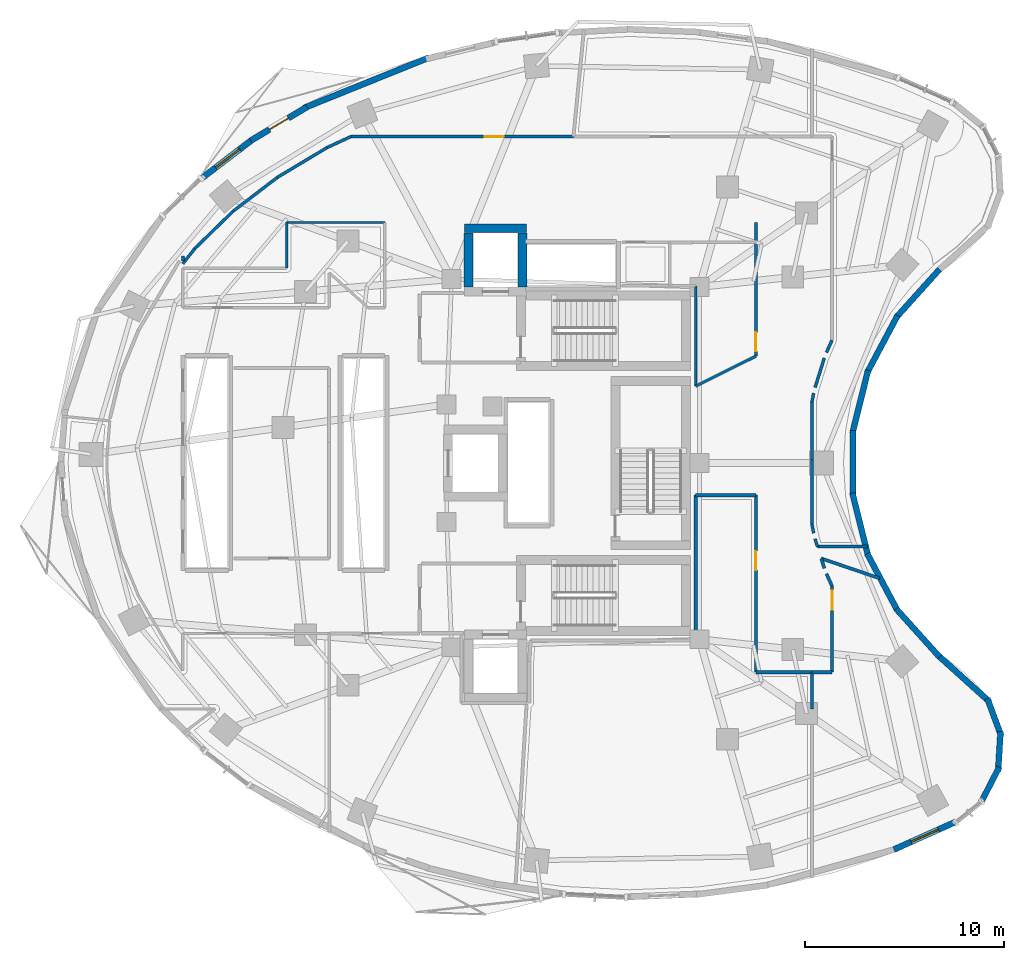
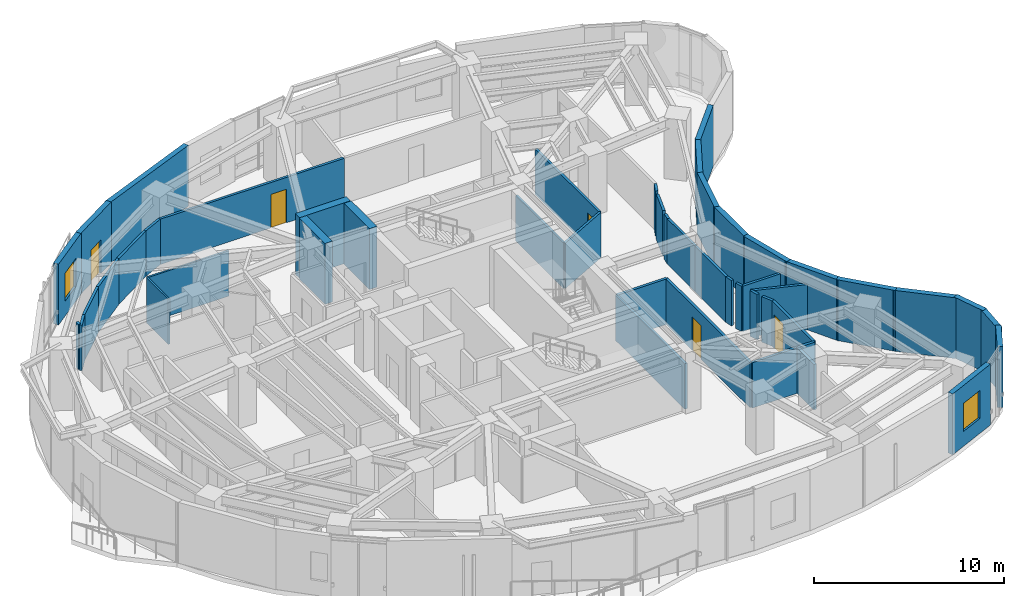
# One storey, part 9 of 13: 48 walls, 5 doors, 2 windows, 7 openings.
"""IFC4 building model written with IfcOpenShell, lengths in metres."""

from ifc_helpers import new_model, si_unit, direction, frame, frame_2d, origin, place, context, subcontext, project, spatial, rectangle, extrude, material, layer, layer_set, type_object, element, fill, save


model = new_model("IFC4")

# Units and contexts
model_context = context("Model", 3, precision=1e-05, world=origin(), true_north=direction((0.0, 1.0)))
body_context = subcontext(model_context, "Body", "Model", "MODEL_VIEW")
ifc_project = project(units=[si_unit("LENGTHUNIT", "METRE"), si_unit("AREAUNIT", "SQUARE_METRE"), si_unit("VOLUMEUNIT", "CUBIC_METRE"), si_unit("PLANEANGLEUNIT", "RADIAN"), si_unit("MASSUNIT", "GRAM", prefix="KILO")], contexts=[model_context])

# Site, building, storey
site_placement = place(None, origin())
site = spatial("IfcSite", under=ifc_project, at=site_placement, CompositionType="ELEMENT")
building_placement = place(site_placement, origin())
building = spatial("IfcBuilding", under=site, at=building_placement, Name="Korentha Bioscience Tower", CompositionType="ELEMENT")
storey_placement = place(building_placement, frame((0.0, 0.0, 140.39990234375)))
storey = spatial("IfcBuildingStorey", under=building, at=storey_placement, Name="L32", CompositionType="ELEMENT", Elevation=140.39990234375)

# Wall, opening, door
ifc_material_1 = material(Name="Double-Stud Acoustic Gypsum", Category="gypsum")
ifc_layer_1 = layer(ifc_material_1, 0.14990234375, Name="Double-Stud Acoustic Gypsum")
ifc_layer_set_1 = layer_set([ifc_layer_1], Name="Double-Stud Acoustic Gypsum (IW-L150)")
wall_type_1 = type_object("IfcWallType", Name="Acoustic Laboratory Partition Wall 150", PredefinedType="PARTITIONING", material=ifc_layer_set_1)
wall_1_placement = place(storey_placement, frame((31.208740234375, 43.409912109375, 0.0), z_axis=(0.0, 0.0, 1.0), x_axis=(-1.0, 0.0, 0.0)))
wall_1 = element("IfcWall", 1, at=wall_1_placement, inside=storey, type_object=wall_type_1, Name="L32 Sterile Media Preparation Kitchen 09 Entrance Wall", PredefinedType="PARTITIONING", context=body_context, shape_type="SweptSolid", body=[
    extrude(rectangle(XDim=11.166259765625, YDim=0.14990234375, at=frame_2d((5.5830078125, 0.0))), origin(), (0.0, 0.0, 1.0), 2.91015625),
])
opening_1_placement = place(wall_1_placement, frame((3.493896484375, 0.0, 0.0)))
opening_1 = element("IfcOpeningElement", 2, at=opening_1_placement, cuts=wall_1, Name="Opening ID-10R", PredefinedType="OPENING", context=body_context, shape_type="SweptSolid", body=[
    extrude(rectangle(XDim=0.949951171875, YDim=2.14990234375, at=frame_2d((0.47509765625, 1.074951171875))), frame((0.0, 0.08984375, 0.0), z_axis=(0.0, -1.0, 0.0), x_axis=(1.0, 0.0, 0.0)), (0.0, 0.0, 1.0), 0.1796875),
])
ifc_material_2 = material(Name="Phenolic Laminate Timber Core", Category="wood")
door_type_1 = type_object("IfcDoorType", Name="Laboratory Single Leaf Door 950x2150 Right", OperationType="SINGLE_SWING_RIGHT", PredefinedType="DOOR", material=ifc_material_2)
door_1_placement = place(opening_1_placement, origin())
door_1 = element("IfcDoor", 3, at=door_1_placement, inside=storey, type_object=door_type_1, Name="L32 Sterile Media Preparation Kitchen 09 Door", OperationType="SINGLE_SWING_RIGHT", OverallHeight=2.14990234375, OverallWidth=0.949951171875, PredefinedType="DOOR", context=body_context, shape_type="SweptSolid", body=[
    extrude(rectangle(XDim=0.949951171875, YDim=2.14990234375, at=frame_2d((0.47509765625, 1.074951171875))), frame((0.0, 0.02490234375, 0.0), z_axis=(0.0, -1.0, 0.0), x_axis=(1.0, 0.0, 0.0)), (0.0, 0.0, 1.0), 0.050048828125),
])
fill(opening_1, door_1)

# Walls
wall_2_placement = place(storey_placement, frame((43.201904296875, 27.168212890625, 0.0), z_axis=(0.0, 0.0, 1.0), x_axis=(0.0, 1.0, 0.0)))
element("IfcWall", 4, at=wall_2_placement, inside=storey, type_object=wall_type_1, Name="L32 Interior Partition 048", PredefinedType="PARTITIONING", context=body_context, shape_type="SweptSolid", body=[
    extrude(rectangle(XDim=2.89404296875, YDim=0.14990234375, at=frame_2d((1.447021484375, 0.0))), origin(), (0.0, 0.0, 1.0), 2.91015625),
])
wall_3_placement = place(storey_placement, frame((43.201904296875, 30.062255859375, 0.0), z_axis=(0.0, 0.0, 1.0), x_axis=(0.182241022482, 0.983253888741, 0.0)))
element("IfcWall", 5, at=wall_3_placement, inside=storey, type_object=wall_type_1, Name="L32 Interior Partition 049", PredefinedType="PARTITIONING", context=body_context, shape_type="SweptSolid", body=[
    extrude(rectangle(XDim=0.4609375, YDim=0.14990234375, at=frame_2d((0.23046875, 0.0))), origin(), (0.0, 0.0, 1.0), 2.91015625),
])
wall_4_placement = place(storey_placement, frame((43.35791015625, 30.803466796875, 0.0), z_axis=(0.0, 0.0, 1.0), x_axis=(0.300641414783, 0.953737248783, 0.0)))
element("IfcWall", 6, at=wall_4_placement, inside=storey, type_object=wall_type_1, Name="L32 Interior Partition 050", PredefinedType="PARTITIONING", context=body_context, shape_type="SweptSolid", body=[
    extrude(rectangle(XDim=1.55029296875, YDim=0.14990234375, at=frame_2d((0.775146484375, 0.0))), origin(), (0.0, 0.0, 1.0), 2.91015625),
])
wall_5_placement = place(storey_placement, frame((43.930419921875, 32.55908203125, 0.0), z_axis=(0.0, 0.0, 1.0), x_axis=(0.414377467152, 0.910105111905, 0.0)))
element("IfcWall", 7, at=wall_5_placement, inside=storey, type_object=wall_type_1, Name="L32 Interior Partition 051", PredefinedType="PARTITIONING", context=body_context, shape_type="SweptSolid", body=[
    extrude(rectangle(XDim=0.67236328125, YDim=0.14990234375, at=frame_2d((0.336181640625, 0.0))), origin(), (0.0, 0.0, 1.0), 2.91015625),
])
wall_6_placement = place(storey_placement, frame((45.99609375, 22.802001953125, 0.0), z_axis=(0.0, 0.0, 1.0), x_axis=(-1.0, 0.0, 0.0)))
element("IfcWall", 8, at=wall_6_placement, inside=storey, type_object=wall_type_1, Name="L32 Interior Partition 054", PredefinedType="PARTITIONING", context=body_context, shape_type="SweptSolid", body=[
    extrude(rectangle(XDim=2.513916015625, YDim=0.14990234375, at=frame_2d((1.2568359375, 0.0))), origin(), (0.0, 0.0, 1.0), 2.91015625),
])
wall_7_placement = place(storey_placement, frame((43.482177734375, 22.802001953125, 0.0), z_axis=(0.0, 0.0, 1.0), x_axis=(-0.300425095419, 0.953805410995, 0.0)))
element("IfcWall", 9, at=wall_7_placement, inside=storey, type_object=wall_type_1, Name="L32 Interior Partition 055", PredefinedType="PARTITIONING", context=body_context, shape_type="SweptSolid", body=[
    extrude(rectangle(XDim=0.41357421875, YDim=0.14990234375, at=frame_2d((0.206787109375, 0.0))), origin(), (0.0, 0.0, 1.0), 2.91015625),
])
wall_8_placement = place(storey_placement, frame((43.285888671875, 23.484619140625, 0.0), z_axis=(0.0, 0.0, 1.0), x_axis=(-0.182241022482, 0.983253888741, 0.0)))
element("IfcWall", 10, at=wall_8_placement, inside=storey, type_object=wall_type_1, Name="L32 Interior Partition 056", PredefinedType="PARTITIONING", context=body_context, shape_type="SweptSolid", body=[
    extrude(rectangle(XDim=0.4609375, YDim=0.14990234375, at=frame_2d((0.23046875, 0.0))), origin(), (0.0, 0.0, 1.0), 2.91015625),
])
wall_9_placement = place(storey_placement, frame((43.201904296875, 23.937744140625, 0.0), z_axis=(0.0, 0.0, 1.0), x_axis=(0.0, 1.0, 0.0)))
element("IfcWall", 11, at=wall_9_placement, inside=storey, type_object=wall_type_1, Name="L32 Interior Partition 057", PredefinedType="PARTITIONING", context=body_context, shape_type="SweptSolid", body=[
    extrude(rectangle(XDim=3.22607421875, YDim=0.14990234375, at=frame_2d((1.613037109375, 0.0))), origin(), (0.0, 0.0, 1.0), 2.91015625),
])
wall_10_placement = place(storey_placement, frame((20.038330078125, 43.4091796875, 0.0), z_axis=(0.0, 0.0, 1.0), x_axis=(-0.907124862852, -0.420861596248, 0.0)))
element("IfcWall", 12, at=wall_10_placement, inside=storey, type_object=wall_type_1, Name="L32 Interior Partition 065", PredefinedType="PARTITIONING", context=body_context, shape_type="SweptSolid", body=[
    extrude(rectangle(XDim=1.321533203125, YDim=0.14990234375, at=frame_2d((0.66064453125, 0.0))), origin(), (0.0, 0.0, 1.0), 2.91015625),
])
wall_11_placement = place(storey_placement, frame((18.838623046875, 42.8525390625, 0.0), z_axis=(0.0, 0.0, 1.0), x_axis=(-0.857603806023, -0.514310909757, 0.0)))
element("IfcWall", 13, at=wall_11_placement, inside=storey, type_object=wall_type_1, Name="L32 Interior Partition 066", PredefinedType="PARTITIONING", context=body_context, shape_type="SweptSolid", body=[
    extrude(rectangle(XDim=2.91357421875, YDim=0.14990234375, at=frame_2d((1.456787109375, 0.0))), origin(), (0.0, 0.0, 1.0), 2.91015625),
])
wall_12_placement = place(storey_placement, frame((16.3388671875, 41.353515625, 0.0), z_axis=(0.0, 0.0, 1.0), x_axis=(-0.794513779695, -0.607246122981, 0.0)))
element("IfcWall", 14, at=wall_12_placement, inside=storey, type_object=wall_type_1, Name="L32 Interior Partition 067", PredefinedType="PARTITIONING", context=body_context, shape_type="SweptSolid", body=[
    extrude(rectangle(XDim=2.799072265625, YDim=0.14990234375, at=frame_2d((1.3994140625, 0.0))), origin(), (0.0, 0.0, 1.0), 2.91015625),
])
wall_13_placement = place(storey_placement, frame((14.1142578125, 39.65283203125, 0.0), z_axis=(0.0, 0.0, 1.0), x_axis=(-0.716161838398, -0.697934252794, 0.0)))
element("IfcWall", 15, at=wall_13_placement, inside=storey, type_object=wall_type_1, Name="L32 Interior Partition 068", PredefinedType="PARTITIONING", context=body_context, shape_type="SweptSolid", body=[
    extrude(rectangle(XDim=2.6787109375, YDim=0.14990234375, at=frame_2d((1.33935546875, 0.0))), origin(), (0.0, 0.0, 1.0), 2.91015625),
])
wall_14_placement = place(storey_placement, frame((12.195068359375, 37.781982421875, 0.0), z_axis=(0.0, 0.0, 1.0), x_axis=(-0.621081637991, -0.783745876513, 0.0)))
element("IfcWall", 16, at=wall_14_placement, inside=storey, type_object=wall_type_1, Name="L32 Interior Partition 069", PredefinedType="PARTITIONING", context=body_context, shape_type="SweptSolid", body=[
    extrude(rectangle(XDim=0.97412109375, YDim=0.14990234375, at=frame_2d((0.487060546875, 0.0))), origin(), (0.0, 0.0, 1.0), 2.91015625),
])
wall_15_placement = place(storey_placement, frame((11.590087890625, 37.14404296875, 0.0), z_axis=(0.0, 0.0, 1.0), x_axis=(0.0, 1.0, 0.0)))
element("IfcWall", 17, at=wall_15_placement, inside=storey, type_object=wall_type_1, Name="L32 Interior Partition 070", PredefinedType="PARTITIONING", context=body_context, shape_type="SweptSolid", body=[
    extrude(rectangle(XDim=0.263916015625, YDim=0.14990234375, at=frame_2d((0.1318359375, 0.0))), origin(), (0.0, 0.0, 1.0), 2.91015625),
])

# Wall, opening, door
ifc_material_3 = material(Name="Insulated Aluminium Honeycomb Panel", Category="aluminium")
ifc_layer_2 = layer(ifc_material_3, 0.139892578125, Name="Insulated Aluminium Honeycomb Panel")
ifc_layer_set_2 = layer_set([ifc_layer_2], Name="Insulated Aluminium Honeycomb Panel (IW-F60)")
wall_type_2 = type_object("IfcWallType", Name="Cleanroom Flush Metal Panel Partition 140", PredefinedType="PARTITIONING", material=ifc_layer_set_2)
wall_16_placement = place(storey_placement, frame((40.389892578125, 39.090087890625, 0.0), z_axis=(0.0, 0.0, 1.0), x_axis=(0.0, -1.0, 0.0)))
wall_16 = element("IfcWall", 18, at=wall_16_placement, inside=storey, type_object=wall_type_2, Name="L32 Stem-Cell Differentiation Cleanroom 07 Entrance Wall", PredefinedType="PARTITIONING", context=body_context, shape_type="SweptSolid", body=[
    extrude(rectangle(XDim=6.7119140625, YDim=0.139892578125, at=frame_2d((3.35595703125, 0.0))), origin(), (0.0, 0.0, 1.0), 2.91015625),
])
opening_2_placement = place(wall_16_placement, frame((5.52197265625, 0.0, 0.0)))
opening_2 = element("IfcOpeningElement", 19, at=opening_2_placement, cuts=wall_16, Name="Opening ID-10R", PredefinedType="OPENING", context=body_context, shape_type="SweptSolid", body=[
    extrude(rectangle(XDim=0.949951171875, YDim=2.14990234375, at=frame_2d((0.47509765625, 1.074951171875))), frame((0.0, 0.0849609375, 0.0), z_axis=(0.0, -1.0, 0.0), x_axis=(1.0, 0.0, 0.0)), (0.0, 0.0, 1.0), 0.169677734375),
])
door_2_placement = place(opening_2_placement, origin())
door_2 = element("IfcDoor", 20, at=door_2_placement, inside=storey, type_object=door_type_1, Name="L32 Stem-Cell Differentiation Cleanroom 07 Door", OperationType="SINGLE_SWING_RIGHT", OverallHeight=2.14990234375, OverallWidth=0.949951171875, PredefinedType="DOOR", context=body_context, shape_type="SweptSolid", body=[
    extrude(rectangle(XDim=0.949951171875, YDim=2.14990234375, at=frame_2d((0.47509765625, 1.074951171875))), frame((0.0, 0.02490234375, 0.0), z_axis=(0.0, -1.0, 0.0), x_axis=(1.0, 0.0, 0.0)), (0.0, 0.0, 1.0), 0.050048828125),
])
fill(opening_2, door_2)

# Walls
wall_17_placement = place(storey_placement, frame((37.360107421875, 30.867431640625, 0.0), z_axis=(0.0, 0.0, 1.0), x_axis=(0.0, 1.0, 0.0)))
element("IfcWall", 21, at=wall_17_placement, inside=storey, type_object=wall_type_2, Name="L32 Interior Partition 058", PredefinedType="PARTITIONING", context=body_context, shape_type="SweptSolid", body=[
    extrude(rectangle(XDim=5.032470703125, YDim=0.139892578125, at=frame_2d((2.51611328125, 0.0))), origin(), (0.0, 0.0, 1.0), 2.91015625),
])
wall_18_placement = place(storey_placement, frame((40.389892578125, 32.378173828125, 0.0), z_axis=(0.0, 0.0, 1.0), x_axis=(-0.894917018808, -0.44623259568, 0.0)))
element("IfcWall", 22, at=wall_18_placement, inside=storey, type_object=wall_type_2, Name="L32 Interior Partition 063", PredefinedType="PARTITIONING", context=body_context, shape_type="SweptSolid", body=[
    extrude(rectangle(XDim=3.385498046875, YDim=0.139892578125, at=frame_2d((1.69287109375, 0.0))), origin(), (0.0, 0.0, 1.0), 2.91015625),
])
ifc_material_4 = material(Name="Fire-Rated Framed Glass", Category="glass")
ifc_layer_3 = layer(ifc_material_4, 0.110107421875, Name="Fire-Rated Framed Glass")
ifc_layer_set_3 = layer_set([ifc_layer_3], Name="Fire-Rated Framed Glass (IW-G110)")
wall_type_3 = type_object("IfcWallType", Name="Demountable Glazed Office Partition 110", PredefinedType="MOVABLE", material=ifc_layer_set_3)
wall_19_placement = place(storey_placement, frame((16.81005859375, 36.800048828125, 0.0), z_axis=(0.0, 0.0, 1.0), x_axis=(0.0, 1.0, 0.0)))
element("IfcWall", 23, at=wall_19_placement, inside=storey, type_object=wall_type_3, Name="L32 Interior Partition 077", PredefinedType="MOVABLE", context=body_context, shape_type="SweptSolid", body=[
    extrude(rectangle(XDim=2.2900390625, YDim=0.110107421875, at=frame_2d((1.14501953125, 0.0))), origin(), (0.0, 0.0, 1.0), 2.91015625),
])
wall_20_placement = place(storey_placement, frame((16.81005859375, 39.090087890625, 0.0), z_axis=(0.0, 0.0, 1.0), x_axis=(1.0, 0.0, 0.0)))
element("IfcWall", 24, at=wall_20_placement, inside=storey, type_object=wall_type_3, Name="L32 Interior Partition 078", PredefinedType="MOVABLE", context=body_context, shape_type="SweptSolid", body=[
    extrude(rectangle(XDim=4.929931640625, YDim=0.110107421875, at=frame_2d((2.46484375, 0.0))), origin(), (0.0, 0.0, 1.0), 2.91015625),
])

# Wall, opening, door
ifc_material_5 = material(Name="Gypsum-Clad Steel Stud", Category="steel")
ifc_layer_4 = layer(ifc_material_5, 0.159912109375, Name="Gypsum-Clad Steel Stud")
ifc_layer_set_4 = layer_set([ifc_layer_4], Name="Gypsum-Clad Steel Stud (IW-C160)")
wall_type_4 = type_object("IfcWallType", Name="Fire-Rated Corridor Partition Wall 160", PredefinedType="PARTITIONING", material=ifc_layer_set_4)
wall_21_placement = place(storey_placement, frame((40.389892578125, 25.389892578125, 0.0), z_axis=(0.0, 0.0, 1.0), x_axis=(0.0, -1.0, 0.0)))
wall_21 = element("IfcWall", 25, at=wall_21_placement, inside=storey, type_object=wall_type_4, Name="L32 Biospecimen Archive Store 04 Entrance Wall", PredefinedType="PARTITIONING", context=body_context, shape_type="SweptSolid", body=[
    extrude(rectangle(XDim=8.889892578125, YDim=0.159912109375, at=frame_2d((4.44482421875, 0.0))), origin(), (0.0, 0.0, 1.0), 2.91015625),
])
opening_3_placement = place(wall_21_placement, frame((2.81201171875, 0.0, 0.0)))
opening_3 = element("IfcOpeningElement", 26, at=opening_3_placement, cuts=wall_21, Name="Opening ID-10L", PredefinedType="OPENING", context=body_context, shape_type="SweptSolid", body=[
    extrude(rectangle(XDim=0.949951171875, YDim=2.14990234375, at=frame_2d((0.47509765625, 1.074951171875))), frame((0.0, 0.0947265625, 0.0), z_axis=(0.0, -1.0, 0.0), x_axis=(1.0, 0.0, 0.0)), (0.0, 0.0, 1.0), 0.189697265625),
])
door_type_2 = type_object("IfcDoorType", Name="Laboratory Single Leaf Door 950x2150 Left", OperationType="SINGLE_SWING_LEFT", PredefinedType="DOOR", material=ifc_material_2)
door_3_placement = place(opening_3_placement, origin())
door_3 = element("IfcDoor", 27, at=door_3_placement, inside=storey, type_object=door_type_2, Name="L32 Biospecimen Archive Store 04 Door", OperationType="SINGLE_SWING_LEFT", OverallHeight=2.14990234375, OverallWidth=0.949951171875, PredefinedType="DOOR", context=body_context, shape_type="SweptSolid", body=[
    extrude(rectangle(XDim=0.949951171875, YDim=2.14990234375, at=frame_2d((0.47509765625, 1.074951171875))), frame((0.0, 0.02490234375, 0.0), z_axis=(0.0, -1.0, 0.0), x_axis=(1.0, 0.0, 0.0)), (0.0, 0.0, 1.0), 0.050048828125),
])
fill(opening_3, door_3)

wall_22_placement = place(storey_placement, frame((44.2099609375, 16.5, 0.0), z_axis=(0.0, 0.0, 1.0), x_axis=(0.0, 1.0, 0.0)))
wall_22 = element("IfcWall", 28, at=wall_22_placement, inside=storey, type_object=wall_type_4, Name="L32 Clean Linen and Labcoat Store 05 Entrance Wall", PredefinedType="PARTITIONING", context=body_context, shape_type="SweptSolid", body=[
    extrude(rectangle(XDim=4.324951171875, YDim=0.159912109375, at=frame_2d((2.16259765625, 0.0))), origin(), (0.0, 0.0, 1.0), 2.91015625),
])
opening_4_placement = place(wall_22_placement, frame((3.135009765625, 0.0, 0.0)))
opening_4 = element("IfcOpeningElement", 29, at=opening_4_placement, cuts=wall_22, Name="Opening ID-10R", PredefinedType="OPENING", context=body_context, shape_type="SweptSolid", body=[
    extrude(rectangle(XDim=0.949951171875, YDim=2.14990234375, at=frame_2d((0.47509765625, 1.074951171875))), frame((0.0, 0.0947265625, 0.0), z_axis=(0.0, -1.0, 0.0), x_axis=(1.0, 0.0, 0.0)), (0.0, 0.0, 1.0), 0.189697265625),
])
door_4_placement = place(opening_4_placement, origin())
door_4 = element("IfcDoor", 30, at=door_4_placement, inside=storey, type_object=door_type_1, Name="L32 Clean Linen and Labcoat Store 05 Door", OperationType="SINGLE_SWING_RIGHT", OverallHeight=2.14990234375, OverallWidth=0.949951171875, PredefinedType="DOOR", context=body_context, shape_type="SweptSolid", body=[
    extrude(rectangle(XDim=0.949951171875, YDim=2.14990234375, at=frame_2d((0.47509765625, 1.074951171875))), frame((0.0, 0.02490234375, 0.0), z_axis=(0.0, -1.0, 0.0), x_axis=(1.0, 0.0, 0.0)), (0.0, 0.0, 1.0), 0.050048828125),
])
fill(opening_4, door_4)

# Walls
wall_23_placement = place(storey_placement, frame((37.360107421875, 18.10009765625, 0.0), z_axis=(0.0, 0.0, 1.0), x_axis=(0.0, 1.0, 0.0)))
element("IfcWall", 31, at=wall_23_placement, inside=storey, type_object=wall_type_4, Name="L32 Interior Partition 039", PredefinedType="PARTITIONING", context=body_context, shape_type="SweptSolid", body=[
    extrude(rectangle(XDim=7.289794921875, YDim=0.159912109375, at=frame_2d((3.64501953125, 0.0))), origin(), (0.0, 0.0, 1.0), 2.91015625),
])
wall_24_placement = place(storey_placement, frame((37.360107421875, 25.389892578125, 0.0), z_axis=(0.0, 0.0, 1.0), x_axis=(1.0, 0.0, 0.0)))
element("IfcWall", 32, at=wall_24_placement, inside=storey, type_object=wall_type_4, Name="L32 Interior Partition 040", PredefinedType="PARTITIONING", context=body_context, shape_type="SweptSolid", body=[
    extrude(rectangle(XDim=3.02978515625, YDim=0.159912109375, at=frame_2d((1.514892578125, 0.0))), origin(), (0.0, 0.0, 1.0), 2.91015625),
])
wall_25_placement = place(storey_placement, frame((40.39990234375, 16.489990234375, 0.0), z_axis=(0.0, 0.0, 1.0), x_axis=(1.0, 0.0, 0.0)))
element("IfcWall", 33, at=wall_25_placement, inside=storey, type_object=wall_type_4, Name="L32 Interior Partition 041", PredefinedType="PARTITIONING", context=body_context, shape_type="SweptSolid", body=[
    extrude(rectangle(XDim=2.798095703125, YDim=0.159912109375, at=frame_2d((1.39892578125, 0.0))), origin(), (0.0, 0.0, 1.0), 2.91015625),
])
wall_26_placement = place(storey_placement, frame((43.197998046875, 16.489990234375, 0.0), z_axis=(0.0, 0.0, 1.0), x_axis=(0.0, -1.0, 0.0)))
element("IfcWall", 34, at=wall_26_placement, inside=storey, type_object=wall_type_4, Name="L32 Interior Partition 042", PredefinedType="PARTITIONING", context=body_context, shape_type="SweptSolid", body=[
    extrude(rectangle(XDim=1.837890625, YDim=0.159912109375, at=frame_2d((0.9189453125, 0.0))), origin(), (0.0, 0.0, 1.0), 2.91015625),
])
wall_27_placement = place(storey_placement, frame((43.2080078125, 16.489990234375, 0.0), z_axis=(0.0, 0.0, 1.0), x_axis=(1.0, 0.0, 0.0)))
element("IfcWall", 35, at=wall_27_placement, inside=storey, type_object=wall_type_4, Name="L32 Interior Partition 044", PredefinedType="PARTITIONING", context=body_context, shape_type="SweptSolid", body=[
    extrude(rectangle(XDim=0.991943359375, YDim=0.159912109375, at=frame_2d((0.49609375, 0.0))), origin(), (0.0, 0.0, 1.0), 2.91015625),
])
wall_28_placement = place(storey_placement, frame((44.208984375, 20.8291015625, 0.0), z_axis=(0.0, 0.0, 1.0), x_axis=(-0.414377467152, 0.910105111905, 0.0)))
element("IfcWall", 36, at=wall_28_placement, inside=storey, type_object=wall_type_4, Name="L32 Interior Partition 045", PredefinedType="PARTITIONING", context=body_context, shape_type="SweptSolid", body=[
    extrude(rectangle(XDim=0.67236328125, YDim=0.159912109375, at=frame_2d((0.336181640625, 0.0))), origin(), (0.0, 0.0, 1.0), 2.91015625),
])
wall_29_placement = place(storey_placement, frame((43.823974609375, 21.718017578125, 0.0), z_axis=(0.0, 0.0, 1.0), x_axis=(-0.300747217066, 0.953703890852, 0.0)))
element("IfcWall", 37, at=wall_29_placement, inside=storey, type_object=wall_type_4, Name="L32 Interior Partition 046", PredefinedType="PARTITIONING", context=body_context, shape_type="SweptSolid", body=[
    extrude(rectangle(XDim=0.51708984375, YDim=0.159912109375, at=frame_2d((0.258544921875, 0.0))), origin(), (0.0, 0.0, 1.0), 2.91015625),
])
wall_30_placement = place(storey_placement, frame((43.66845703125, 22.211181640625, 0.0), z_axis=(0.0, 0.0, 1.0), x_axis=(0.946663200968, -0.322224741342, 0.0)))
element("IfcWall", 38, at=wall_30_placement, inside=storey, type_object=wall_type_4, Name="L32 Interior Partition 047", PredefinedType="PARTITIONING", context=body_context, shape_type="SweptSolid", body=[
    extrude(rectangle(XDim=3.098876953125, YDim=0.159912109375, at=frame_2d((1.54931640625, 0.0))), origin(), (0.0, 0.0, 1.0), 2.91015625),
])

# Wall, opening, door
ifc_material_6 = material(Name="Honed Limestone Precast Concrete C40", Category="masonry")
ifc_layer_5 = layer(ifc_material_6, 0.300048828125, Name="Honed Limestone Precast Concrete C40")
ifc_layer_set_5 = layer_set([ifc_layer_5], Name="Honed Limestone Precast Concrete C40 (EW-ST300)")
wall_type_5 = type_object("IfcWallType", Name="Honed Limestone Cavity Spandrel Wall 300", PredefinedType="STANDARD", material=ifc_layer_set_5)
wall_31_placement = place(storey_placement, frame((17.83349609375, 44.896728515625, 0.0), z_axis=(0.0, 0.0, 1.0), x_axis=(-0.85758429223, -0.514343447242, 0.0)))
wall_31 = element("IfcWall", 39, at=wall_31_placement, inside=storey, type_object=wall_type_5, Name="L32 Balcony Threshold Wall 01", PredefinedType="STANDARD", context=body_context, shape_type="SweptSolid", body=[
    extrude(rectangle(XDim=3.30029296875, YDim=0.300048828125, at=frame_2d((1.650146484375, 0.0))), origin(), (0.0, 0.0, 1.0), 3.900146484375),
])
opening_5_placement = place(wall_31_placement, frame((1.10009765625, 0.0, 0.0)))
opening_5 = element("IfcOpeningElement", 40, at=opening_5_placement, cuts=wall_31, Name="Opening BD-11L", PredefinedType="OPENING", context=body_context, shape_type="SweptSolid", body=[
    extrude(rectangle(XDim=1.10009765625, YDim=2.14990234375, at=frame_2d((0.550048828125, 1.074951171875))), frame((0.0, 0.1650390625, 0.0), z_axis=(0.0, -1.0, 0.0), x_axis=(1.0, 0.0, 0.0)), (0.0, 0.0, 1.0), 0.329833984375),
])
ifc_material_7 = material(Name="Thermally Broken Glazed Aluminium", Category="aluminium")
door_type_3 = type_object("IfcDoorType", Name="Balcony Terrace Glazed Door 1100x2150 Left", OperationType="SINGLE_SWING_LEFT", PredefinedType="DOOR", material=ifc_material_7)
door_5_placement = place(opening_5_placement, origin())
door_5 = element("IfcDoor", 41, at=door_5_placement, inside=storey, type_object=door_type_3, Name="L32 Balcony Access Door 01", OperationType="SINGLE_SWING_LEFT", OverallHeight=2.14990234375, OverallWidth=1.10009765625, PredefinedType="DOOR", context=body_context, shape_type="SweptSolid", body=[
    extrude(rectangle(XDim=1.10009765625, YDim=2.14990234375, at=frame_2d((0.550048828125, 1.074951171875))), frame((0.0, 0.02490234375, 0.0), z_axis=(0.0, -1.0, 0.0), x_axis=(1.0, 0.0, 0.0)), (0.0, 0.0, 1.0), 0.050048828125),
])
fill(opening_5, door_5)

# Wall, opening, window
wall_32_placement = place(storey_placement, frame((15.1171875, 43.276611328125, 0.0), z_axis=(0.0, 0.0, 1.0), x_axis=(-0.794524406211, -0.607232219119, 0.0)))
wall_32 = element("IfcWall", 42, at=wall_32_placement, inside=storey, type_object=wall_type_5, Name="L32 Honed Limestone Spandrel Wall 12", PredefinedType="STANDARD", context=body_context, shape_type="SweptSolid", body=[
    extrude(rectangle(XDim=3.202880859375, YDim=0.300048828125, at=frame_2d((1.6015625, 0.0))), origin(), (0.0, 0.0, 1.0), 3.900146484375),
])
opening_6_placement = place(wall_32_placement, frame((0.851318359375, 0.0, 0.949951171875)))
opening_6 = element("IfcOpeningElement", 43, at=opening_6_placement, cuts=wall_32, Name="Opening WN-02", PredefinedType="OPENING", context=body_context, shape_type="SweptSolid", body=[
    extrude(rectangle(XDim=1.5, YDim=1.800048828125, at=frame_2d((0.75, 0.89990234375))), frame((0.0, 0.1650390625, 0.0), z_axis=(0.0, -1.0, 0.0), x_axis=(1.0, 0.0, 0.0)), (0.0, 0.0, 1.0), 0.329833984375),
])
ifc_material_8 = material(Name="Thermally Broken Aluminium Triple Glazing", Category="aluminium")
window_type = type_object("IfcWindowType", Name="Acoustic Operable Office Window 1500x1800", PartitioningType="DOUBLE_PANEL_VERTICAL", PredefinedType="WINDOW", material=ifc_material_8)
window_1_placement = place(opening_6_placement, origin())
window_1 = element("IfcWindow", 44, at=window_1_placement, inside=storey, type_object=window_type, Name="L32 Facade Window 12", OverallHeight=1.800048828125, OverallWidth=1.5, PartitioningType="DOUBLE_PANEL_VERTICAL", PredefinedType="WINDOW", context=body_context, shape_type="SweptSolid", body=[
    extrude(rectangle(XDim=1.5, YDim=1.800048828125, at=frame_2d((0.75, 0.89990234375))), frame((0.0, 0.030029296875, 0.0), z_axis=(0.0, -1.0, 0.0), x_axis=(1.0, 0.0, 0.0)), (0.0, 0.0, 1.0), 0.06005859375),
])
fill(opening_6, window_1)

wall_33_placement = place(storey_placement, frame((47.3193359375, 7.5849609375, 0.0), z_axis=(0.0, 0.0, 1.0), x_axis=(0.912680179498, 0.40867455261, 0.0)))
wall_33 = element("IfcWall", 45, at=wall_33_placement, inside=storey, type_object=wall_type_5, Name="L32 Honed Limestone Spandrel Wall 36", PredefinedType="STANDARD", context=body_context, shape_type="SweptSolid", body=[
    extrude(rectangle(XDim=3.40087890625, YDim=0.300048828125, at=frame_2d((1.700439453125, 0.0))), origin(), (0.0, 0.0, 1.0), 3.900146484375),
])
opening_7_placement = place(wall_33_placement, frame((0.950439453125, 0.0, 0.949951171875)))
opening_7 = element("IfcOpeningElement", 46, at=opening_7_placement, cuts=wall_33, Name="Opening WN-02", PredefinedType="OPENING", context=body_context, shape_type="SweptSolid", body=[
    extrude(rectangle(XDim=1.5, YDim=1.800048828125, at=frame_2d((0.75, 0.89990234375))), frame((0.0, 0.1650390625, 0.0), z_axis=(0.0, -1.0, 0.0), x_axis=(1.0, 0.0, 0.0)), (0.0, 0.0, 1.0), 0.329833984375),
])
window_2_placement = place(opening_7_placement, origin())
window_2 = element("IfcWindow", 47, at=window_2_placement, inside=storey, type_object=window_type, Name="L32 Facade Window 36", OverallHeight=1.800048828125, OverallWidth=1.5, PartitioningType="DOUBLE_PANEL_VERTICAL", PredefinedType="WINDOW", context=body_context, shape_type="SweptSolid", body=[
    extrude(rectangle(XDim=1.5, YDim=1.800048828125, at=frame_2d((0.75, 0.89990234375))), frame((0.0, 0.030029296875, 0.0), z_axis=(0.0, -1.0, 0.0), x_axis=(1.0, 0.0, 0.0)), (0.0, 0.0, 1.0), 0.06005859375),
])
fill(opening_7, window_2)

# Walls
wall_34_placement = place(storey_placement, frame((23.955810546875, 47.375, 0.0), z_axis=(0.0, 0.0, 1.0), x_axis=(-0.927423312416, -0.374013368194, 0.0)))
element("IfcWall", 48, at=wall_34_placement, inside=storey, type_object=wall_type_5, Name="L32 Limestone Perimeter Closure Wall 09", PredefinedType="STANDARD", context=body_context, shape_type="SweptSolid", body=[
    extrude(rectangle(XDim=6.76904296875, YDim=0.300048828125, at=frame_2d((3.384521484375, 0.0))), origin(), (0.0, 0.0, 1.0), 3.900146484375),
])
for number, where, z_axis, x_axis, name in (
    (49, (51.701171875, 9.953125, 0.0), (0.0, 0.0, 1.0), (0.457596540329, 0.889159944149, 0.0), "L32 Limestone Perimeter Closure Wall 38"),
    (50, (52.55859375, 11.522705078125, 0.0), (0.0, 0.0, 1.0), (0.060255200356, 0.998183004679, 0.0), "L32 Limestone Perimeter Closure Wall 39"),
):
    element("IfcWall", number, at=place(storey_placement, frame(where, z_axis=z_axis, x_axis=x_axis)), inside=storey, type_object=wall_type_5, Name=name, PredefinedType="STANDARD", context=body_context, shape_type="SweptSolid", body=[
        extrude(rectangle(XDim=1.99755859375, YDim=0.300048828125, at=frame_2d((0.998779296875, 0.0))), origin(), (0.0, 0.0, 1.0), 3.900146484375),
    ])
wall_35_placement = place(storey_placement, frame((52.710205078125, 13.3046875, 0.0), z_axis=(0.0, 0.0, 1.0), x_axis=(-0.347370087337, 0.937728117539, 0.0)))
element("IfcWall", 51, at=wall_35_placement, inside=storey, type_object=wall_type_5, Name="L32 Limestone Perimeter Closure Wall 40", PredefinedType="STANDARD", context=body_context, shape_type="SweptSolid", body=[
    extrude(rectangle(XDim=1.997314453125, YDim=0.300048828125, at=frame_2d((0.99853515625, 0.0))), origin(), (0.0, 0.0, 1.0), 3.900146484375),
])
wall_36_placement = place(storey_placement, frame((52.14111328125, 14.993896484375, 0.0), z_axis=(0.0, 0.0, 1.0), x_axis=(-0.74255963233, 0.669779958221, 0.0)))
element("IfcWall", 52, at=wall_36_placement, inside=storey, type_object=wall_type_5, Name="L32 Limestone Perimeter Closure Wall 41", PredefinedType="STANDARD", context=body_context, shape_type="SweptSolid", body=[
    extrude(rectangle(XDim=3.5390625, YDim=0.300048828125, at=frame_2d((1.76953125, 0.0))), origin(), (0.0, 0.0, 1.0), 3.900146484375),
])
wall_37_placement = place(storey_placement, frame((49.61572265625, 17.26171875, 0.0), z_axis=(0.0, 0.0, 1.0), x_axis=(-0.669167727967, 0.743111399353, 0.0)))
element("IfcWall", 53, at=wall_37_placement, inside=storey, type_object=wall_type_5, Name="L32 Limestone Perimeter Closure Wall 43", PredefinedType="STANDARD", context=body_context, shape_type="SweptSolid", body=[
    extrude(rectangle(XDim=3.25537109375, YDim=0.300048828125, at=frame_2d((1.627685546875, 0.0))), origin(), (0.0, 0.0, 1.0), 3.900146484375),
])
wall_38_placement = place(storey_placement, frame((47.5087890625, 19.578857421875, 0.0), z_axis=(0.0, 0.0, 1.0), x_axis=(-0.469451284634, 0.882958374645, 0.0)))
element("IfcWall", 54, at=wall_38_placement, inside=storey, type_object=wall_type_5, Name="L32 Limestone Perimeter Closure Wall 45", PredefinedType="STANDARD", context=body_context, shape_type="SweptSolid", body=[
    extrude(rectangle(XDim=3.255615234375, YDim=0.300048828125, at=frame_2d((1.6279296875, 0.0))), origin(), (0.0, 0.0, 1.0), 3.900146484375),
])
wall_39_placement = place(storey_placement, frame((46.025146484375, 22.3369140625, 0.0), z_axis=(0.0, 0.0, 1.0), x_axis=(-0.241900409149, 0.970301083197, 0.0)))
element("IfcWall", 55, at=wall_39_placement, inside=storey, type_object=wall_type_5, Name="L32 Limestone Perimeter Closure Wall 47", PredefinedType="STANDARD", context=body_context, shape_type="SweptSolid", body=[
    extrude(rectangle(XDim=3.255859375, YDim=0.300048828125, at=frame_2d((1.6279296875, 0.0))), origin(), (0.0, 0.0, 1.0), 3.900146484375),
])
wall_40_placement = place(storey_placement, frame((45.252685546875, 25.372314453125, 0.0), z_axis=(0.0, 0.0, 1.0), x_axis=(0.0, 1.0, 0.0)))
element("IfcWall", 56, at=wall_40_placement, inside=storey, type_object=wall_type_5, Name="L32 Limestone Perimeter Closure Wall 49", PredefinedType="STANDARD", context=body_context, shape_type="SweptSolid", body=[
    extrude(rectangle(XDim=3.25537109375, YDim=0.300048828125, at=frame_2d((1.627685546875, 0.0))), origin(), (0.0, 0.0, 1.0), 3.900146484375),
])
wall_41_placement = place(storey_placement, frame((45.237548828125, 28.50390625, 0.0), z_axis=(0.0, 0.0, 1.0), x_axis=(0.241900409149, 0.970301083197, 0.0)))
element("IfcWall", 57, at=wall_41_placement, inside=storey, type_object=wall_type_5, Name="L32 Limestone Perimeter Closure Wall 51", PredefinedType="STANDARD", context=body_context, shape_type="SweptSolid", body=[
    extrude(rectangle(XDim=3.255859375, YDim=0.300048828125, at=frame_2d((1.6279296875, 0.0))), origin(), (0.0, 0.0, 1.0), 3.900146484375),
])
wall_42_placement = place(storey_placement, frame((45.98046875, 31.546630859375, 0.0), z_axis=(0.0, 0.0, 1.0), x_axis=(0.469451284634, 0.882958374645, 0.0)))
element("IfcWall", 58, at=wall_42_placement, inside=storey, type_object=wall_type_5, Name="L32 Limestone Perimeter Closure Wall 53", PredefinedType="STANDARD", context=body_context, shape_type="SweptSolid", body=[
    extrude(rectangle(XDim=3.255615234375, YDim=0.300048828125, at=frame_2d((1.6279296875, 0.0))), origin(), (0.0, 0.0, 1.0), 3.900146484375),
])
wall_43_placement = place(storey_placement, frame((47.437255859375, 34.319091796875, 0.0), z_axis=(0.0, 0.0, 1.0), x_axis=(0.669167727967, 0.743111399353, 0.0)))
element("IfcWall", 59, at=wall_43_placement, inside=storey, type_object=wall_type_5, Name="L32 Limestone Perimeter Closure Wall 55", PredefinedType="STANDARD", context=body_context, shape_type="SweptSolid", body=[
    extrude(rectangle(XDim=3.25537109375, YDim=0.300048828125, at=frame_2d((1.627685546875, 0.0))), origin(), (0.0, 0.0, 1.0), 3.900146484375),
])
ifc_material_9 = material(Name="Concrete C80", Category="concrete")
ifc_layer_6 = layer(ifc_material_9, 0.449951171875, Name="Concrete C80")
ifc_layer_set_6 = layer_set([ifc_layer_6], Name="Concrete C80 (CW-C80)")
wall_type_6 = type_object("IfcWallType", Name="Lower Core Shear Wall 450", PredefinedType="SHEAR", material=ifc_layer_set_6)
wall_44_placement = place(storey_placement, frame((25.75, 38.800048828125, 0.0), z_axis=(0.0, 0.0, 1.0), x_axis=(1.0, 0.0, 0.0)))
element("IfcWall", 60, at=wall_44_placement, inside=storey, type_object=wall_type_6, Name="L32 Core Shear Wall FFL2-N", PredefinedType="SHEAR", context=body_context, shape_type="SweptSolid", body=[
    extrude(rectangle(XDim=3.10009765625, YDim=0.449951171875, at=frame_2d((1.550048828125, 0.0))), origin(), (0.0, 0.0, 1.0), 3.900146484375),
])
for number, where, z_axis, x_axis, name in (
    (61, (25.949951171875, 35.860107421875, 0.0), (0.0, 0.0, 1.0), (0.0, 1.0, 0.0), "L32 Core Shear Wall FFL2-W"),
    (62, (28.64990234375, 35.860107421875, 0.0), (0.0, 0.0, 1.0), (0.0, 1.0, 0.0), "L32 Core Shear Wall FFL2-E"),
):
    element("IfcWall", number, at=place(storey_placement, frame(where, z_axis=z_axis, x_axis=x_axis)), inside=storey, type_object=wall_type_6, Name=name, PredefinedType="SHEAR", context=body_context, shape_type="SweptSolid", body=[
        extrude(rectangle(XDim=2.699951171875, YDim=0.449951171875, at=frame_2d((1.35009765625, 0.0))), origin(), (0.0, 0.0, 1.0), 3.900146484375),
    ])

save(model, "model.ifc")
